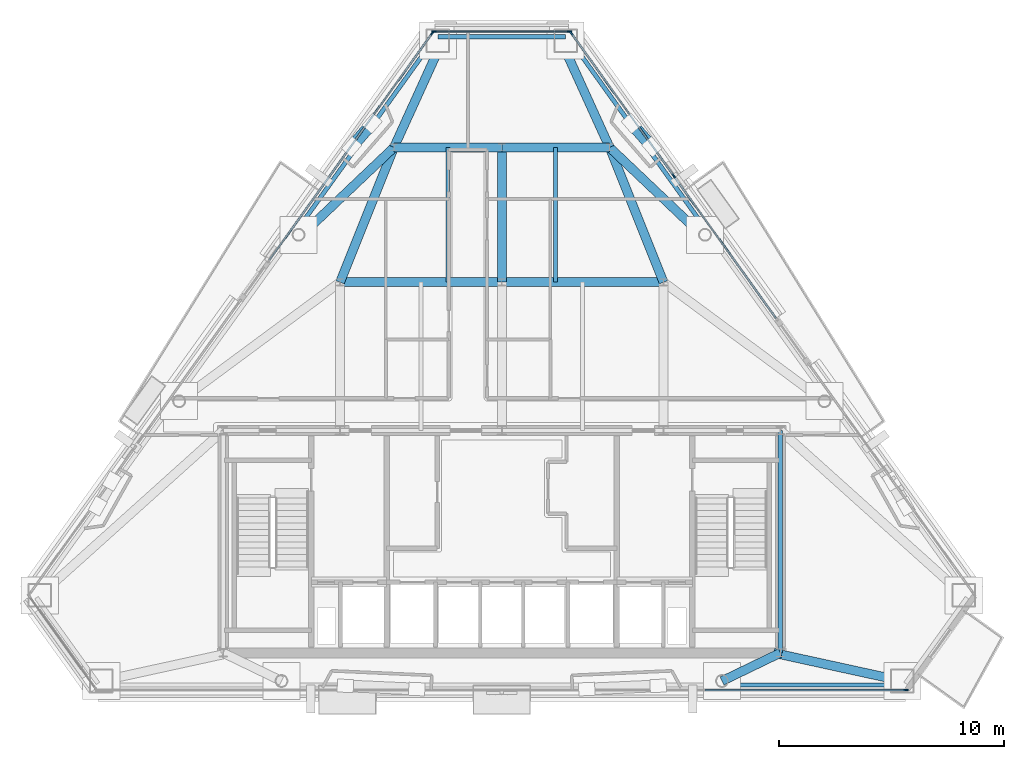
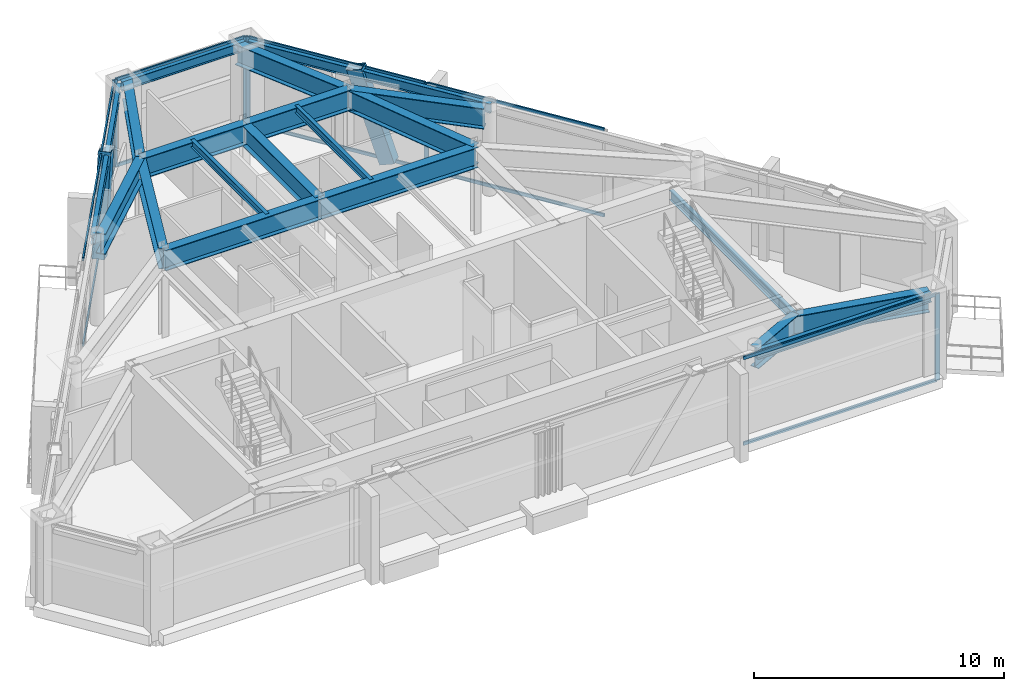
# One storey, part 4 of 11: 20 beams, 18 members, 4 elements without a shape of their own.
"""IFC4 building model written with IfcOpenShell, lengths in metres."""

import ifcopenshell
import ifcopenshell.guid

model = None  # the IFC model being written
_history = None  # IfcOwnerHistory: only IFC2X3 demands one
_inside = {}  # id of a spatial element -> (the spatial element, [elements in it])
_under = {}  # id of a project, library or spatial element -> (it, [spatial elements below it])
_declared = {}  # id of a project -> (the project, [libraries it declares])
_typed = {}  # id of a type object -> (the type object, [elements of that type])
_made_of = {}  # id of a material, layer set ... -> (it, [elements and type objects made of it])


def new_model(schema):
    """Start an empty IFC model of exactly this schema.

    Asked for "IFC4X3", IfcOpenShell would pick the latest addendum, in which some entities
    have other attributes; the version numbers below select the first issue.
    IFC2X3 requires an IfcOwnerHistory on every rooted entity: one is made here for all.
    """
    global model, _history
    if schema == "IFC4X3":
        model = ifcopenshell.file(schema_version=(4, 3, 0, 0))
    else:
        model = ifcopenshell.file(schema=schema)
    _inside.clear()
    _under.clear()
    _declared.clear()
    _typed.clear()
    _made_of.clear()
    _history = None
    if model.schema == "IFC2X3":
        org = make("IfcOrganization", Name="unknown")
        user = make(
            "IfcPersonAndOrganization",
            ThePerson=make("IfcPerson", FamilyName="unknown"),
            TheOrganization=org,
        )
        app = make(
            "IfcApplication",
            ApplicationDeveloper=org,
            Version="unknown",
            ApplicationFullName="unknown",
            ApplicationIdentifier="unknown",
        )
        _history = make(
            "IfcOwnerHistory",
            OwningUser=user,
            OwningApplication=app,
            ChangeAction="ADDED",
            CreationDate=0,
        )
    return model


def make(cls, **values):
    """One entity of the class cls with the attributes given. An attribute that is None is left unset."""
    return model.create_entity(
        cls, **{name: value for name, value in values.items() if value is not None}
    )


def rooted(cls, **values):
    """An entity with a GlobalId (a new one), such as an element, a storey or a relation."""
    return make(cls, GlobalId=ifcopenshell.guid.new(), OwnerHistory=_history, **values)


def si_unit(unit_type, name, prefix=None):
    """IfcSIUnit, for example si_unit("LENGTHUNIT", "METRE", prefix="MILLI")."""
    return make("IfcSIUnit", UnitType=unit_type, Prefix=prefix, Name=name)


def assignment(units):
    """IfcUnitAssignment: the units of a project."""
    return None if units is None else make("IfcUnitAssignment", Units=units)


def point(xyz):
    """IfcCartesianPoint."""
    return None if xyz is None else make("IfcCartesianPoint", Coordinates=xyz)


def direction(xyz):
    """IfcDirection."""
    return None if xyz is None else make("IfcDirection", DirectionRatios=xyz)


def frame(location, z_axis=None, x_axis=None):
    """IfcAxis2Placement3D, a coordinate frame: its origin and axes. An axis left out is left unset."""
    return make(
        "IfcAxis2Placement3D",
        Location=point(location),
        Axis=direction(z_axis),
        RefDirection=direction(x_axis),
    )


def frame_2d(location, x_axis=None):
    """IfcAxis2Placement2D, a coordinate frame in the plane: its origin and x axis."""
    return make(
        "IfcAxis2Placement2D", Location=point(location), RefDirection=direction(x_axis)
    )


def origin():
    """The frame at (0, 0, 0) with its axes left unset."""
    return frame((0.0, 0.0, 0.0))


def origin_2d():
    """The frame at (0, 0) in the plane with its x axis left unset."""
    return frame_2d((0.0, 0.0))


def place(relative_to, where):
    """IfcLocalPlacement: puts the frame where relative to a parent placement (None: the world)."""
    return make(
        "IfcLocalPlacement", PlacementRelTo=relative_to, RelativePlacement=where
    )


def context(
    kind, dimensions, precision=None, world=None, true_north=None, identifier=None
):
    """IfcGeometricRepresentationContext, for example the 3D "Model" context."""
    return make(
        "IfcGeometricRepresentationContext",
        ContextIdentifier=identifier,
        ContextType=kind,
        CoordinateSpaceDimension=dimensions,
        Precision=precision,
        WorldCoordinateSystem=world,
        TrueNorth=true_north,
    )


def subcontext(parent, identifier, kind, view, scale=None):
    """IfcGeometricRepresentationSubContext, for example "Body" below "Model"."""
    return make(
        "IfcGeometricRepresentationSubContext",
        ContextIdentifier=identifier,
        ContextType=kind,
        ParentContext=parent,
        TargetScale=scale,
        TargetView=view,
    )


def project(units=None, contexts=None):
    """IfcProject with its units and contexts."""
    return rooted(
        "IfcProject",
        Name="project",
        RepresentationContexts=contexts,
        UnitsInContext=assignment(units),
    )


def spatial(cls, under=None, at=None, **own):
    """A site, building, storey or space (cls), placed at a placement, below another one or the project."""
    s = rooted(cls, ObjectPlacement=at, **own)
    if under is not None:
        _under.setdefault(under.id(), (under, []))[1].append(s)
    return s


def profile(cls, at=None, kind="AREA", **sizes):
    """A parametric profile (cls). Its sizes go by their IFC names, for example OverallWidth=200.0."""
    return make(cls, ProfileType=kind, Position=at, **sizes)


def rectangle(**sizes):
    """IfcRectangleProfileDef."""
    return profile("IfcRectangleProfileDef", **sizes)


def hollow_rectangle(**sizes):
    """IfcRectangleHollowProfileDef."""
    return profile("IfcRectangleHollowProfileDef", **sizes)


def i_section(**sizes):
    """IfcIShapeProfileDef."""
    return profile("IfcIShapeProfileDef", **sizes)


def extrude(swept, where, along, depth):
    """IfcExtrudedAreaSolid: the profile swept, set in the frame where, extruded along a direction by depth."""
    return make(
        "IfcExtrudedAreaSolid",
        SweptArea=swept,
        Position=where,
        ExtrudedDirection=direction(along),
        Depth=depth,
    )


def shape(context_of_items, identifier, shape_type, items):
    """IfcShapeRepresentation: the items that make up one representation, for example the "Body"."""
    return make(
        "IfcShapeRepresentation",
        ContextOfItems=context_of_items,
        RepresentationIdentifier=identifier,
        RepresentationType=shape_type,
        Items=items,
    )


def material(Name=None, Category=None):
    """IfcMaterial."""
    return make("IfcMaterial", Name=Name, Category=Category)


def layer(
    of_material, thickness, ventilated=None, Name=None, Category=None, Priority=None
):
    """IfcMaterialLayer: one layer of a wall or slab, of a material (None: an air gap)."""
    return make(
        "IfcMaterialLayer",
        Material=of_material,
        LayerThickness=thickness,
        IsVentilated=ventilated,
        Name=Name,
        Category=Category,
        Priority=Priority,
    )


def layer_set(layers, Name=None):
    """IfcMaterialLayerSet."""
    return make("IfcMaterialLayerSet", MaterialLayers=layers, LayerSetName=Name)


def material_profile(
    of_material, cross_section, Name=None, Category=None, Priority=None
):
    """IfcMaterialProfile: a cross section and its material."""
    return make(
        "IfcMaterialProfile",
        Name=Name,
        Material=of_material,
        Profile=cross_section,
        Priority=Priority,
        Category=Category,
    )


def profile_set(profiles, Name=None, composite=None):
    """IfcMaterialProfileSet."""
    return make(
        "IfcMaterialProfileSet",
        Name=Name,
        MaterialProfiles=profiles,
        CompositeProfile=composite,
    )


def made_of(thing, what):
    """Note that an element or type object is made of a material, layer set ...; save() writes the relation."""
    if what is not None:
        _made_of.setdefault(what.id(), (what, []))[1].append(thing)
    return thing


def type_object(cls, material=None, **own):
    """A type object (cls), such as IfcWallType, which elements share."""
    return made_of(rooted(cls, **own), material)


def element(
    cls,
    number,
    at=None,
    inside=None,
    cuts=None,
    type_object=None,
    material=None,
    context=None,
    identifier="Body",
    shape_type=None,
    held_by="IfcProductDefinitionShape",
    body=None,
    shapes=None,
    **own,
):
    """One element of the class cls, such as IfcWall. Its Tag is "e" and its number.

    at: its placement. inside: the storey or other place that contains it. cuts: it is an
    opening in that element (IfcRelVoidsElement). A single representation is given by context,
    identifier, shape_type and body (its items); several are given by shapes. held_by: the class
    of the entity that holds the representations. save() writes the other relations.
    """
    e = rooted(cls, Tag="e%d" % number, ObjectPlacement=at, **own)
    if body is not None:
        shapes = [shape(context, identifier, shape_type, body)]
    if shapes is not None:
        e.Representation = make(held_by, Representations=shapes)
    if inside is not None:
        _inside.setdefault(inside.id(), (inside, []))[1].append(e)
    if cuts is not None:
        rooted(
            "IfcRelVoidsElement", RelatingBuildingElement=cuts, RelatedOpeningElement=e
        )
    if type_object is not None:
        _typed.setdefault(type_object.id(), (type_object, []))[1].append(e)
    return made_of(e, material)


def aggregate(whole, parts):
    """IfcRelAggregates: a whole, such as a stair, and the parts it consists of."""
    return rooted("IfcRelAggregates", RelatingObject=whole, RelatedObjects=parts)


def save(model, path):
    """Write the relations noted so far, then the file.

    IfcRelAggregates (storeys below a building ...), IfcRelContainedInSpatialStructure (elements
    in a storey), IfcRelDefinesByType, IfcRelAssociatesMaterial and IfcRelDeclares: one each for
    every whole, place, type object, material and project.
    """
    for whole, parts in _under.values():
        aggregate(whole, parts)
    for where, things in _inside.values():
        rooted(
            "IfcRelContainedInSpatialStructure",
            RelatedElements=things,
            RelatingStructure=where,
        )
    for kind, things in _typed.values():
        rooted("IfcRelDefinesByType", RelatedObjects=things, RelatingType=kind)
    for what, things in _made_of.values():
        rooted("IfcRelAssociatesMaterial", RelatedObjects=things, RelatingMaterial=what)
    for by, libraries in _declared.values():
        rooted("IfcRelDeclares", RelatingContext=by, RelatedDefinitions=libraries)
    model.write(path)


model = new_model("IFC4")

# Units and contexts
model_context = context("Model", 3, precision=1e-05, world=origin(), true_north=direction((0.0, 1.0)))
body_context = subcontext(model_context, "Body", "Model", "MODEL_VIEW")
ifc_project = project(units=[si_unit("LENGTHUNIT", "METRE"), si_unit("AREAUNIT", "SQUARE_METRE"), si_unit("VOLUMEUNIT", "CUBIC_METRE"), si_unit("PLANEANGLEUNIT", "RADIAN"), si_unit("MASSUNIT", "GRAM", prefix="KILO")], contexts=[model_context])

# Site, building, storey
site_placement = place(None, origin())
site = spatial("IfcSite", under=ifc_project, at=site_placement, CompositionType="ELEMENT")
building_placement = place(site_placement, origin())
building = spatial("IfcBuilding", under=site, at=building_placement, Name="Talgorran Terracotta Tower", CompositionType="ELEMENT")
storey_placement = place(building_placement, frame((0.0, 0.0, 228.89990234375)))
storey = spatial("IfcBuildingStorey", under=building, at=storey_placement, Name="L60", CompositionType="ELEMENT", Elevation=228.89990234375)

# Beams
ifc_material_1 = material(Name="Steel Grade 350 (350L0)", Category="steel")
ifc_material_profile_1 = material_profile(ifc_material_1, i_section(OverallWidth=0.39990234375, OverallDepth=1.0, WebThickness=0.01611328125, FlangeThickness=0.031005859375, at=origin_2d()), Name="1000WB296")
ifc_profile_set_1 = profile_set([ifc_material_profile_1], Name="Steel Grade 350 (350L0)")
beam_type_1 = type_object("IfcBeamType", Name="BM_1000WB296", PredefinedType="BEAM", material=ifc_profile_set_1)
beam_1_placement = place(storey_placement, frame((12.39990234375, -14.10009765625, 3.7451171875), z_axis=(-0.900513862936, -0.434827302109, 0.0), x_axis=(0.434827302109, -0.900513862936, 0.0)))
element("IfcBeam", 1, at=beam_1_placement, inside=storey, type_object=beam_type_1, Name="L60 South-East Core Tie Beam", PredefinedType="BEAM", context=body_context, shape_type="SweptSolid", body=[
    extrude(i_section(OverallWidth=0.39990234375, OverallDepth=1.0, WebThickness=0.01611328125, FlangeThickness=0.031005859375, at=origin_2d()), origin(), (0.0, 0.0, 1.0), 2.879638671875),
])
beam_2_placement = place(storey_placement, frame((17.830078125, -15.352294921875, 3.7451171875), z_axis=(-0.976943988312, 0.213495769751, 0.0), x_axis=(-0.213495769751, -0.976943988312, 0.0)))
element("IfcBeam", 2, at=beam_2_placement, inside=storey, type_object=beam_type_1, Name="L60 Perimeter Step Girder 5", PredefinedType="BEAM", context=body_context, shape_type="SweptSolid", body=[
    extrude(i_section(OverallWidth=0.39990234375, OverallDepth=1.0, WebThickness=0.01611328125, FlangeThickness=0.031005859375, at=origin_2d()), origin(), (0.0, 0.0, 1.0), 5.865234375),
])
for number, where, z_axis, x_axis, name in (
    (3, (2.547607421875, 13.3486328125, 3.7451171875), (0.414262979991, -0.910157230048, 0.0), (0.910157230048, 0.414262979991, 0.0), "L60 Perimeter Step Girder 9B"),
    (4, (-2.547607421875, 13.3486328125, 3.7451171875), (-0.414262979991, -0.910157230048, 0.0), (0.910157230048, -0.414262979991, 0.0), "L60 Perimeter Step Girder 10B"),
):
    element("IfcBeam", number, at=place(storey_placement, frame(where, z_axis=z_axis, x_axis=x_axis)), inside=storey, type_object=beam_type_1, Name=name, PredefinedType="BEAM", context=body_context, shape_type="SweptSolid", body=[
        extrude(i_section(OverallWidth=0.39990234375, OverallDepth=1.0, WebThickness=0.01611328125, FlangeThickness=0.031005859375, at=origin_2d()), origin(), (0.0, 0.0, 1.0), 5.437255859375),
    ])
for number, where, z_axis, x_axis, name in (
    (5, (-7.199951171875, 2.39990234375, 3.7451171875), (1.0, 0.0, 0.0), (0.0, 1.0, 0.0), "L60 Floor Girder G04"),
    (6, (0.0, 2.39990234375, 3.7451171875), (1.0, 0.0, 0.0), (0.0, 1.0, 0.0), "L60 Floor Girder G05"),
):
    element("IfcBeam", number, at=place(storey_placement, frame(where, z_axis=z_axis, x_axis=x_axis)), inside=storey, type_object=beam_type_1, Name=name, PredefinedType="BEAM", context=body_context, shape_type="SweptSolid", body=[
        extrude(i_section(OverallWidth=0.39990234375, OverallDepth=1.0, WebThickness=0.01611328125, FlangeThickness=0.031005859375, at=origin_2d()), origin(), (0.0, 0.0, 1.0), 7.199951171875),
    ])
beam_3_placement = place(storey_placement, frame((-7.199951171875, 2.39990234375, 3.7451171875), z_axis=(0.371377648723, 0.928481901832, 0.0), x_axis=(-0.928481901832, 0.371377648723, 0.0)))
element("IfcBeam", 7, at=beam_3_placement, inside=storey, type_object=beam_type_1, Name="L60 Floor Girder G08", PredefinedType="BEAM", context=body_context, shape_type="SweptSolid", body=[
    extrude(i_section(OverallWidth=0.39990234375, OverallDepth=1.0, WebThickness=0.01611328125, FlangeThickness=0.031005859375, at=origin_2d()), origin(), (0.0, 0.0, 1.0), 6.462158203125),
])
beam_4_placement = place(storey_placement, frame((0.0, 2.39990234375, 3.7451171875), z_axis=(0.0, 1.0, 0.0), x_axis=(-1.0, 0.0, 0.0)))
element("IfcBeam", 8, at=beam_4_placement, inside=storey, type_object=beam_type_1, Name="L60 Floor Girder G09", PredefinedType="BEAM", context=body_context, shape_type="SweptSolid", body=[
    extrude(i_section(OverallWidth=0.39990234375, OverallDepth=1.0, WebThickness=0.01611328125, FlangeThickness=0.031005859375, at=origin_2d()), origin(), (0.0, 0.0, 1.0), 6.0),
])
beam_5_placement = place(storey_placement, frame((7.199951171875, 2.39990234375, 3.7451171875), z_axis=(-0.371377648723, 0.928481901832, 0.0), x_axis=(-0.928481901832, -0.371377648723, 0.0)))
element("IfcBeam", 9, at=beam_5_placement, inside=storey, type_object=beam_type_1, Name="L60 Floor Girder G10", PredefinedType="BEAM", context=body_context, shape_type="SweptSolid", body=[
    extrude(i_section(OverallWidth=0.39990234375, OverallDepth=1.0, WebThickness=0.01611328125, FlangeThickness=0.031005859375, at=origin_2d()), origin(), (0.0, 0.0, 1.0), 6.462158203125),
])
for number, where, z_axis, x_axis, name in (
    (10, (-4.800048828125, 8.39990234375, 3.7451171875), (1.0, 0.0, 0.0), (0.0, 1.0, 0.0), "L60 Floor Girder G11"),
    (11, (0.0, 8.39990234375, 3.7451171875), (1.0, 0.0, 0.0), (0.0, 1.0, 0.0), "L60 Floor Girder G12"),
):
    element("IfcBeam", number, at=place(storey_placement, frame(where, z_axis=z_axis, x_axis=x_axis)), inside=storey, type_object=beam_type_1, Name=name, PredefinedType="BEAM", context=body_context, shape_type="SweptSolid", body=[
        extrude(i_section(OverallWidth=0.39990234375, OverallDepth=1.0, WebThickness=0.01611328125, FlangeThickness=0.031005859375, at=origin_2d()), origin(), (0.0, 0.0, 1.0), 4.800048828125),
    ])
for number, where, z_axis, x_axis, name in (
    (12, (-4.800048828125, 8.39990234375, 3.7451171875), (-0.725126847578, -0.688615317083, 0.0), (0.688615317083, -0.725126847578, 0.0), "L60 Floor Girder G13"),
    (13, (4.800048828125, 8.39990234375, 3.7451171875), (0.725126847578, -0.688615317083, 0.0), (0.688615317083, 0.725126847578, 0.0), "L60 Floor Girder G14"),
):
    element("IfcBeam", number, at=place(storey_placement, frame(where, z_axis=z_axis, x_axis=x_axis)), inside=storey, type_object=beam_type_1, Name=name, PredefinedType="BEAM", context=body_context, shape_type="SweptSolid", body=[
        extrude(i_section(OverallWidth=0.39990234375, OverallDepth=1.0, WebThickness=0.01611328125, FlangeThickness=0.031005859375, at=origin_2d()), origin(), (0.0, 0.0, 1.0), 5.5966796875),
    ])
ifc_material_2 = material(Name="Steel S355 (300PLUS)", Category="steel")
ifc_material_profile_2 = material_profile(ifc_material_2, i_section(OverallWidth=0.17138671875, OverallDepth=0.355712890625, WebThickness=0.00732421875, FlangeThickness=0.011474609375, at=origin_2d()), Name="360UB50.7")
ifc_profile_set_2 = profile_set([ifc_material_profile_2], Name="Steel S355 (300PLUS)")
beam_type_2 = type_object("IfcBeamType", Name="BM_JS_360UB51", PredefinedType="JOIST", material=ifc_profile_set_2)
for number, where, z_axis, x_axis, name in (
    (14, (-2.39990234375, 2.39990234375, 4.0673828125), (0.0, 1.0, 0.0), (-1.0, 0.0, 0.0), "L60 Secondary Joist J03"),
    (15, (2.39990234375, 2.39990234375, 4.0673828125), (0.0, 1.0, 0.0), (-1.0, 0.0, 0.0), "L60 Secondary Joist J04"),
):
    element("IfcBeam", number, at=place(storey_placement, frame(where, z_axis=z_axis, x_axis=x_axis)), inside=storey, type_object=beam_type_2, Name=name, PredefinedType="JOIST", context=body_context, shape_type="SweptSolid", body=[
        extrude(i_section(OverallWidth=0.17138671875, OverallDepth=0.355712890625, WebThickness=0.00732421875, FlangeThickness=0.011474609375, at=origin_2d()), origin(), (0.0, 0.0, 1.0), 6.0),
    ])
ifc_material_profile_3 = material_profile(ifc_material_2, i_section(OverallWidth=0.18994140625, OverallDepth=0.45703125, WebThickness=0.009033203125, FlangeThickness=0.014404296875, at=origin_2d()), Name="460UB74.6")
ifc_profile_set_3 = profile_set([ifc_material_profile_3], Name="Steel S355 (300PLUS)")
beam_type_3 = type_object("IfcBeamType", Name="BM_SP_460UB74", PredefinedType="SPANDREL", material=ifc_profile_set_3)
beam_6_placement = place(storey_placement, frame((9.806640625, -15.5322265625, 4.0166015625), z_axis=(1.0, 0.0, 0.0), x_axis=(0.0, 1.0, 0.0)))
element("IfcBeam", 16, at=beam_6_placement, inside=storey, type_object=beam_type_3, Name="L60 Perimeter Spandrel Beam FC2-MC3", PredefinedType="SPANDREL", context=body_context, shape_type="SweptSolid", body=[
    extrude(i_section(OverallWidth=0.18994140625, OverallDepth=0.45703125, WebThickness=0.009033203125, FlangeThickness=0.014404296875, at=origin_2d()), origin(), (0.0, 0.0, 1.0), 8.0234375),
])
beam_7_placement = place(storey_placement, frame((9.192626953125, 4.615478515625, 4.0166015625), z_axis=(-0.583110094649, 0.812393142216, 0.0), x_axis=(-0.812393142216, -0.583110094649, 0.0)))
element("IfcBeam", 17, at=beam_7_placement, inside=storey, type_object=beam_type_3, Name="L60 Perimeter Spandrel Beam FC4-MC5", PredefinedType="SPANDREL", context=body_context, shape_type="SweptSolid", body=[
    extrude(i_section(OverallWidth=0.18994140625, OverallDepth=0.45703125, WebThickness=0.009033203125, FlangeThickness=0.014404296875, at=origin_2d()), origin(), (0.0, 0.0, 1.0), 10.638427734375),
])
beam_8_placement = place(storey_placement, frame((2.843017578125, 13.3330078125, 4.0166015625), z_axis=(-1.0, 0.0, 0.0), x_axis=(0.0, -1.0, 0.0)))
element("IfcBeam", 18, at=beam_8_placement, inside=storey, type_object=beam_type_3, Name="L60 Perimeter Spandrel Beam MC5-MC6", PredefinedType="SPANDREL", context=body_context, shape_type="SweptSolid", body=[
    extrude(i_section(OverallWidth=0.18994140625, OverallDepth=0.45703125, WebThickness=0.009033203125, FlangeThickness=0.014404296875, at=origin_2d()), origin(), (0.0, 0.0, 1.0), 5.68603515625),
])
beam_9_placement = place(storey_placement, frame((-2.9892578125, 13.258056640625, 4.0166015625), z_axis=(-0.583110094649, -0.812393142216, 0.0), x_axis=(0.812393142216, -0.583110094649, 0.0)))
element("IfcBeam", 19, at=beam_9_placement, inside=storey, type_object=beam_type_3, Name="L60 Perimeter Spandrel Beam MC6-FC5", PredefinedType="SPANDREL", context=body_context, shape_type="SweptSolid", body=[
    extrude(i_section(OverallWidth=0.18994140625, OverallDepth=0.45703125, WebThickness=0.009033203125, FlangeThickness=0.014404296875, at=origin_2d()), origin(), (0.0, 0.0, 1.0), 10.638427734375),
])
beam_10_placement = place(storey_placement, frame((12.39990234375, -14.10009765625, 4.0166015625), z_axis=(0.0, 1.0, 0.0), x_axis=(-1.0, 0.0, 0.0)))
element("IfcBeam", 20, at=beam_10_placement, inside=storey, type_object=beam_type_3, Name="L60 Core Frame Beam CFE", PredefinedType="SPANDREL", context=body_context, shape_type="SweptSolid", body=[
    extrude(i_section(OverallWidth=0.18994140625, OverallDepth=0.45703125, WebThickness=0.009033203125, FlangeThickness=0.014404296875, at=origin_2d()), origin(), (0.0, 0.0, 1.0), 9.900146484375),
])

# Members
ifc_material_profile_4 = material_profile(ifc_material_1, hollow_rectangle(XDim=0.52001953125, YDim=0.659912109375, WallThickness=0.034912109375, at=origin_2d()), Name="WBOX660X520X35")
ifc_profile_set_4 = profile_set([ifc_material_profile_4], Name="Steel Grade 350 (350L0)")
member_type_1 = type_object("IfcMemberType", Name="MB_MEGA_660", PredefinedType="BRACE", material=ifc_profile_set_4)
for number, where, z_axis, x_axis, name in (
    (21, (6.67822265625, 8.42724609375, -0.02490234375), (-0.201607557126, 0.231900079796, 0.951617962157), (-0.754677524802, -0.656095902714, 0.0), "L60 Exterior Face Mega-Brace MB-3 (NEU)"),
    (22, (-6.67822265625, 8.42724609375, -0.02490234375), (0.201607557126, 0.231900079796, 0.951617962157), (-0.754677524802, 0.656095902714, 0.0), "L60 Exterior Face Mega-Brace MB-3 (NWU)"),
):
    element("IfcMember", number, at=place(storey_placement, frame(where, z_axis=z_axis, x_axis=x_axis)), inside=storey, type_object=member_type_1, Name=name, PredefinedType="BRACE", context=body_context, shape_type="SweptSolid", body=[
        extrude(hollow_rectangle(XDim=0.52001953125, YDim=0.659912109375, WallThickness=0.034912109375, at=origin_2d()), origin(), (0.0, 0.0, 1.0), 4.51318359375),
    ])

# Curtain wall, member
ifc_material_3 = material(Name="High-Wind Unitised Glazing", Category="glass")
ifc_layer = layer(ifc_material_3, 0.2099609375, Name="CW_SYS3_RES_HIGH")
ifc_layer_set = layer_set([ifc_layer], Name="High-Wind Unitised Glazing")
curtain_wall_type = type_object("IfcCurtainWallType", Name="CW_SYS3_RES_HIGH", PredefinedType="NOTDEFINED", material=ifc_layer_set)
curtain_wall_1_placement = place(storey_placement, origin())
curtain_wall_1 = element("IfcCurtainWall", 23, at=curtain_wall_1_placement, inside=storey, type_object=curtain_wall_type, Name="CW-L60-F1", PredefinedType="NOTDEFINED")
ifc_material_4 = material(Name="Architectural Aluminium 6063-T6", Category="aluminium")
ifc_material_profile_5 = material_profile(ifc_material_4, rectangle(XDim=0.070068359375, YDim=0.199951171875, at=origin_2d()), Name="CWM70X200")
ifc_profile_set_5 = profile_set([ifc_material_profile_5], Name="Architectural Aluminium 6063-T6")
member_type_2 = type_object("IfcMemberType", Name="MUL_70X200", PredefinedType="MULLION", material=ifc_profile_set_5)
member_1_placement = place(storey_placement, frame((18.00048828125, -15.752197265625, 0.0), z_axis=(0.0, 0.0, 1.0), x_axis=(0.0, 1.0, 0.0)))
member_1 = element("IfcMember", 24, at=member_1_placement, type_object=member_type_2, Name="CW-L60-1 mullion 5", PredefinedType="MULLION", context=body_context, shape_type="SweptSolid", body=[
    extrude(rectangle(XDim=0.070068359375, YDim=0.199951171875, at=origin_2d()), origin(), (0.0, 0.0, 1.0), 4.2451171875),
])

# Curtain wall, members
curtain_wall_2_placement = place(storey_placement, origin())
curtain_wall_2 = element("IfcCurtainWall", 25, at=curtain_wall_2_placement, inside=storey, type_object=curtain_wall_type, Name="CW-L60-F41", PredefinedType="NOTDEFINED")
member_2_placement = place(storey_placement, frame((7.658935546875, 7.12939453125, 0.0), z_axis=(0.0, 0.0, 1.0), x_axis=(-0.812391900316, -0.583111824868, 0.0)))
member_2 = element("IfcMember", 26, at=member_2_placement, type_object=member_type_2, Name="CW-L60-41 mullion 2", PredefinedType="MULLION", context=body_context, shape_type="SweptSolid", body=[
    extrude(rectangle(XDim=0.070068359375, YDim=0.199951171875, at=origin_2d()), origin(), (0.0, 0.0, 1.0), 4.2451171875),
])
member_3_placement = place(storey_placement, frame((3.092041015625, 13.4921875, 0.0), z_axis=(0.0, 0.0, 1.0), x_axis=(-0.812391900316, -0.583111824868, 0.0)))
member_3 = element("IfcMember", 27, at=member_3_placement, type_object=member_type_2, Name="CW-L60-41 mullion 3", PredefinedType="MULLION", context=body_context, shape_type="SweptSolid", body=[
    extrude(rectangle(XDim=0.070068359375, YDim=0.199951171875, at=origin_2d()), origin(), (0.0, 0.0, 1.0), 4.2451171875),
])

curtain_wall_3_placement = place(storey_placement, origin())
curtain_wall_3 = element("IfcCurtainWall", 28, at=curtain_wall_3_placement, inside=storey, type_object=curtain_wall_type, Name="CW-L60-F4", PredefinedType="NOTDEFINED")
member_4_placement = place(storey_placement, frame((3.01318359375, 13.552978515625, 0.0), z_axis=(0.0, 0.0, 1.0), x_axis=(0.0, -1.0, 0.0)))
member_4 = element("IfcMember", 29, at=member_4_placement, type_object=member_type_2, Name="CW-L60-4 mullion 1", PredefinedType="MULLION", context=body_context, shape_type="SweptSolid", body=[
    extrude(rectangle(XDim=0.070068359375, YDim=0.199951171875, at=origin_2d()), origin(), (0.0, 0.0, 1.0), 4.2451171875),
])
member_5_placement = place(storey_placement, frame((-3.01318359375, 13.552978515625, 0.0), z_axis=(0.0, 0.0, 1.0), x_axis=(0.0, -1.0, 0.0)))
member_5 = element("IfcMember", 30, at=member_5_placement, type_object=member_type_2, Name="CW-L60-4 mullion 2", PredefinedType="MULLION", context=body_context, shape_type="SweptSolid", body=[
    extrude(rectangle(XDim=0.070068359375, YDim=0.199951171875, at=origin_2d()), origin(), (0.0, 0.0, 1.0), 4.2451171875),
])

# Curtain wall, member
curtain_wall_4_placement = place(storey_placement, origin())
curtain_wall_4 = element("IfcCurtainWall", 31, at=curtain_wall_4_placement, inside=storey, type_object=curtain_wall_type, Name="CW-L60-F60", PredefinedType="NOTDEFINED")
member_6_placement = place(storey_placement, frame((-3.092041015625, 13.4921875, 0.0), z_axis=(0.0, 0.0, 1.0), x_axis=(0.812390181655, -0.583114219301, 0.0)))
member_6 = element("IfcMember", 32, at=member_6_placement, type_object=member_type_2, Name="CW-L60-60 mullion 1", PredefinedType="MULLION", context=body_context, shape_type="SweptSolid", body=[
    extrude(rectangle(XDim=0.070068359375, YDim=0.199951171875, at=origin_2d()), origin(), (0.0, 0.0, 1.0), 4.2451171875),
])

# Member
ifc_material_profile_6 = material_profile(ifc_material_4, rectangle(XDim=0.070068359375, YDim=0.159912109375, at=origin_2d()), Name="CWT70X160")
ifc_profile_set_6 = profile_set([ifc_material_profile_6], Name="Architectural Aluminium 6063-T6")
member_type_3 = type_object("IfcMemberType", Name="TRN_70X160", PredefinedType="USERDEFINED", material=ifc_profile_set_6)
member_7_placement = place(storey_placement, frame((9.052734375, -15.752197265625, 0.03515625), z_axis=(1.0, 0.0, 0.0), x_axis=(0.0, 1.0, 0.0)))
member_7 = element("IfcMember", 33, at=member_7_placement, type_object=member_type_3, Name="CW-L60-1 transom 4.1", ObjectType="TRANSOM", PredefinedType="USERDEFINED", context=body_context, shape_type="SweptSolid", body=[
    extrude(rectangle(XDim=0.070068359375, YDim=0.159912109375, at=origin_2d()), origin(), (0.0, 0.0, 1.0), 8.91259765625),
])

member_8_placement = place(storey_placement, frame((9.052734375, -15.752197265625, 4.210205078125), z_axis=(1.0, 0.0, 0.0), x_axis=(0.0, 1.0, 0.0)))
member_8 = element("IfcMember", 34, at=member_8_placement, type_object=member_type_3, Name="CW-L60-1 transom 4.2", ObjectType="TRANSOM", PredefinedType="USERDEFINED", context=body_context, shape_type="SweptSolid", body=[
    extrude(rectangle(XDim=0.070068359375, YDim=0.159912109375, at=origin_2d()), origin(), (0.0, 0.0, 1.0), 8.91259765625),
])

aggregate(curtain_wall_1, [member_1, member_7, member_8])

member_9_placement = place(storey_placement, frame((12.20556640625, 0.795166015625, 0.03515625), z_axis=(-0.583105133155, 0.812396703396, 0.0), x_axis=(-0.812396703396, -0.583105133155, 0.0)))
member_9 = element("IfcMember", 35, at=member_9_placement, type_object=member_type_3, Name="CW-L60-41 transom 1.1", ObjectType="TRANSOM", PredefinedType="USERDEFINED", context=body_context, shape_type="SweptSolid", body=[
    extrude(rectangle(XDim=0.070068359375, YDim=0.159912109375, at=origin_2d()), origin(), (0.0, 0.0, 1.0), 7.76220703125),
])

member_10_placement = place(storey_placement, frame((12.20556640625, 0.795166015625, 4.210205078125), z_axis=(-0.583105133155, 0.812396703396, 0.0), x_axis=(-0.812396703396, -0.583105133155, 0.0)))
member_10 = element("IfcMember", 36, at=member_10_placement, type_object=member_type_3, Name="CW-L60-41 transom 1.2", ObjectType="TRANSOM", PredefinedType="USERDEFINED", context=body_context, shape_type="SweptSolid", body=[
    extrude(rectangle(XDim=0.070068359375, YDim=0.159912109375, at=origin_2d()), origin(), (0.0, 0.0, 1.0), 7.76220703125),
])

member_11_placement = place(storey_placement, frame((7.638427734375, 7.15771484375, 0.03515625), z_axis=(-0.583105133155, 0.812396703396, 0.0), x_axis=(-0.812396703396, -0.583105133155, 0.0)))
member_11 = element("IfcMember", 37, at=member_11_placement, type_object=member_type_3, Name="CW-L60-41 transom 2.1", ObjectType="TRANSOM", PredefinedType="USERDEFINED", context=body_context, shape_type="SweptSolid", body=[
    extrude(rectangle(XDim=0.070068359375, YDim=0.159912109375, at=origin_2d()), origin(), (0.0, 0.0, 1.0), 7.76220703125),
])

member_12_placement = place(storey_placement, frame((7.638427734375, 7.15771484375, 4.210205078125), z_axis=(-0.583105133155, 0.812396703396, 0.0), x_axis=(-0.812396703396, -0.583105133155, 0.0)))
member_12 = element("IfcMember", 38, at=member_12_placement, type_object=member_type_3, Name="CW-L60-41 transom 2.2", ObjectType="TRANSOM", PredefinedType="USERDEFINED", context=body_context, shape_type="SweptSolid", body=[
    extrude(rectangle(XDim=0.070068359375, YDim=0.159912109375, at=origin_2d()), origin(), (0.0, 0.0, 1.0), 7.76220703125),
])

aggregate(curtain_wall_2, [member_2, member_3, member_9, member_10, member_11, member_12])

member_13_placement = place(storey_placement, frame((2.978271484375, 13.552978515625, 0.03515625), z_axis=(-1.0, 0.0, 0.0), x_axis=(0.0, -1.0, 0.0)))
member_13 = element("IfcMember", 39, at=member_13_placement, type_object=member_type_3, Name="CW-L60-4 transom 1.1", ObjectType="TRANSOM", PredefinedType="USERDEFINED", context=body_context, shape_type="SweptSolid", body=[
    extrude(rectangle(XDim=0.070068359375, YDim=0.159912109375, at=origin_2d()), origin(), (0.0, 0.0, 1.0), 5.95654296875),
])

member_14_placement = place(storey_placement, frame((2.978271484375, 13.552978515625, 4.210205078125), z_axis=(-1.0, 0.0, 0.0), x_axis=(0.0, -1.0, 0.0)))
member_14 = element("IfcMember", 40, at=member_14_placement, type_object=member_type_3, Name="CW-L60-4 transom 1.2", ObjectType="TRANSOM", PredefinedType="USERDEFINED", context=body_context, shape_type="SweptSolid", body=[
    extrude(rectangle(XDim=0.070068359375, YDim=0.159912109375, at=origin_2d()), origin(), (0.0, 0.0, 1.0), 5.95654296875),
])

aggregate(curtain_wall_3, [member_4, member_5, member_13, member_14])

member_15_placement = place(storey_placement, frame((-3.1123046875, 13.463623046875, 0.03515625), z_axis=(-0.583125163176, -0.812382326292, 0.0), x_axis=(0.812382326292, -0.583125163176, 0.0)))
member_15 = element("IfcMember", 41, at=member_15_placement, type_object=member_type_3, Name="CW-L60-60 transom 1.1", ObjectType="TRANSOM", PredefinedType="USERDEFINED", context=body_context, shape_type="SweptSolid", body=[
    extrude(rectangle(XDim=0.070068359375, YDim=0.159912109375, at=origin_2d()), origin(), (0.0, 0.0, 1.0), 12.39990234375),
])

member_16_placement = place(storey_placement, frame((-3.1123046875, 13.463623046875, 4.210205078125), z_axis=(-0.583125163176, -0.812382326292, 0.0), x_axis=(0.812382326292, -0.583125163176, 0.0)))
member_16 = element("IfcMember", 42, at=member_16_placement, type_object=member_type_3, Name="CW-L60-60 transom 1.2", ObjectType="TRANSOM", PredefinedType="USERDEFINED", context=body_context, shape_type="SweptSolid", body=[
    extrude(rectangle(XDim=0.070068359375, YDim=0.159912109375, at=origin_2d()), origin(), (0.0, 0.0, 1.0), 12.39990234375),
])

aggregate(curtain_wall_4, [member_6, member_15, member_16])

save(model, "model.ifc")
